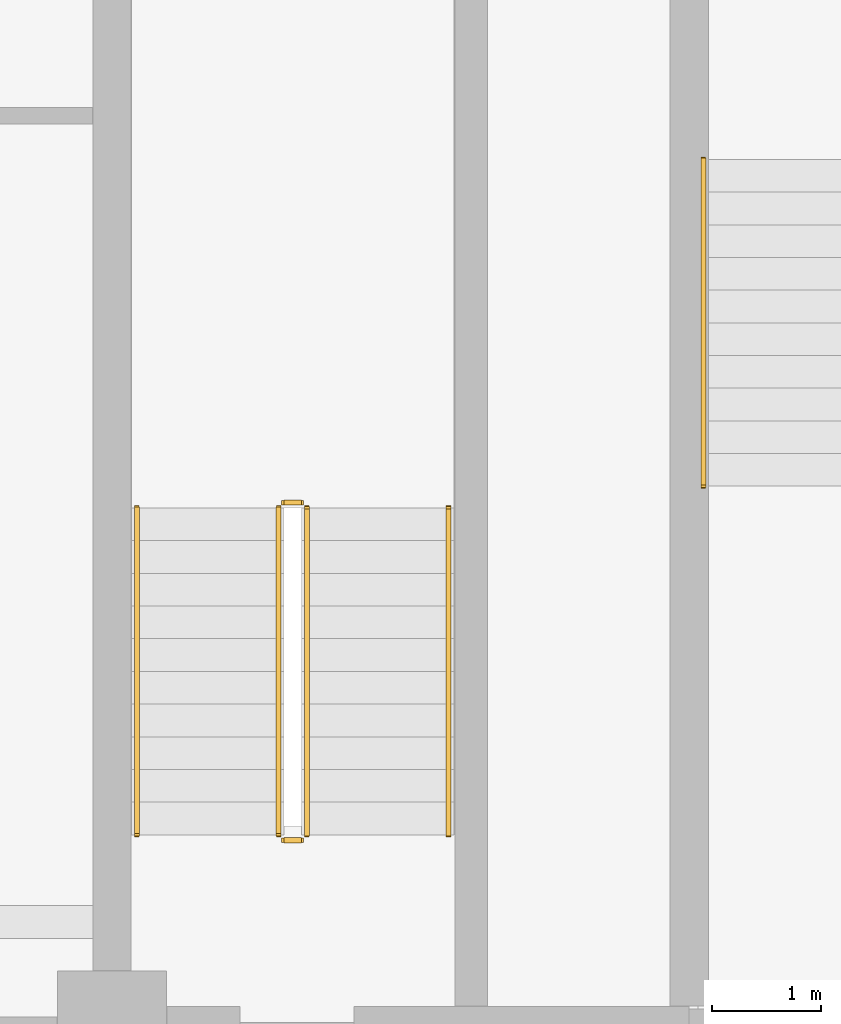
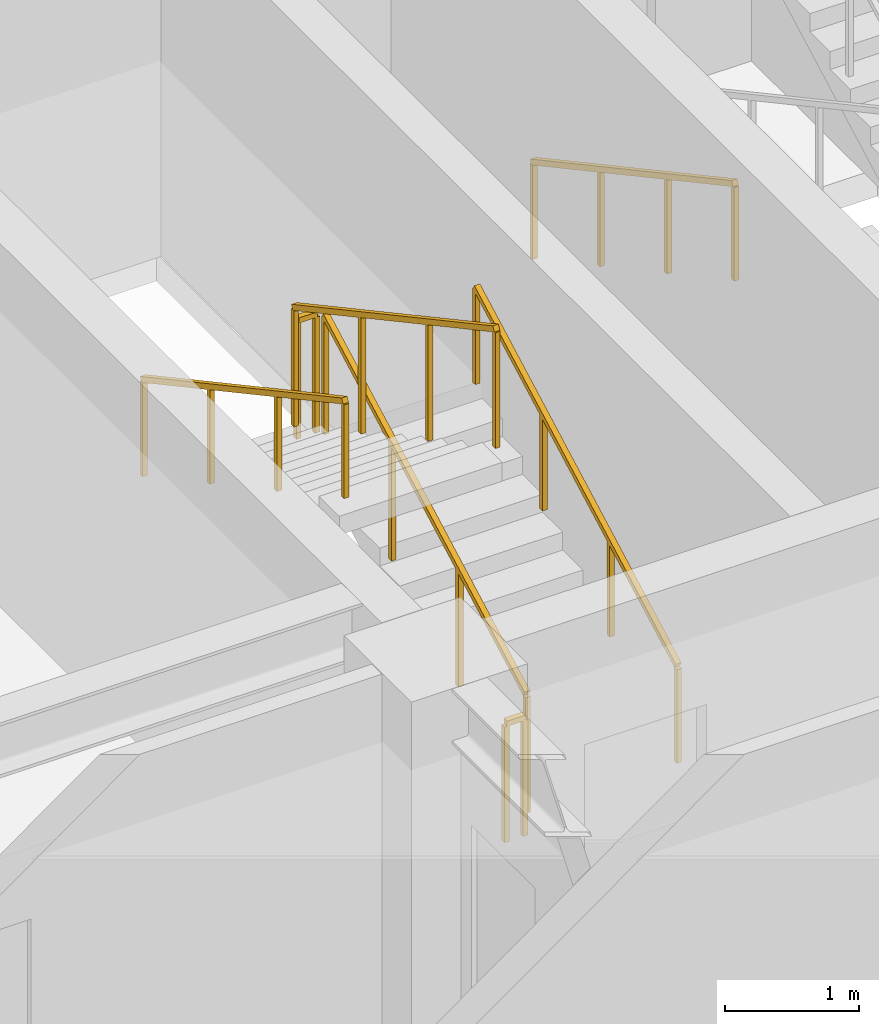
# One storey, part 9 of 15: 7 railings.
"""IFC4 building model written with IfcOpenShell, lengths in metres."""

import ifcopenshell
import ifcopenshell.guid

model = None  # the IFC model being written
_history = None  # IfcOwnerHistory: only IFC2X3 demands one
_inside = {}  # id of a spatial element -> (the spatial element, [elements in it])
_under = {}  # id of a project, library or spatial element -> (it, [spatial elements below it])
_declared = {}  # id of a project -> (the project, [libraries it declares])
_typed = {}  # id of a type object -> (the type object, [elements of that type])
_made_of = {}  # id of a material, layer set ... -> (it, [elements and type objects made of it])


def new_model(schema):
    """Start an empty IFC model of exactly this schema.

    Asked for "IFC4X3", IfcOpenShell would pick the latest addendum, in which some entities
    have other attributes; the version numbers below select the first issue.
    IFC2X3 requires an IfcOwnerHistory on every rooted entity: one is made here for all.
    """
    global model, _history
    if schema == "IFC4X3":
        model = ifcopenshell.file(schema_version=(4, 3, 0, 0))
    else:
        model = ifcopenshell.file(schema=schema)
    _inside.clear()
    _under.clear()
    _declared.clear()
    _typed.clear()
    _made_of.clear()
    _history = None
    if model.schema == "IFC2X3":
        org = make("IfcOrganization", Name="unknown")
        user = make(
            "IfcPersonAndOrganization",
            ThePerson=make("IfcPerson", FamilyName="unknown"),
            TheOrganization=org,
        )
        app = make(
            "IfcApplication",
            ApplicationDeveloper=org,
            Version="unknown",
            ApplicationFullName="unknown",
            ApplicationIdentifier="unknown",
        )
        _history = make(
            "IfcOwnerHistory",
            OwningUser=user,
            OwningApplication=app,
            ChangeAction="ADDED",
            CreationDate=0,
        )
    return model


def make(cls, **values):
    """One entity of the class cls with the attributes given. An attribute that is None is left unset."""
    return model.create_entity(
        cls, **{name: value for name, value in values.items() if value is not None}
    )


def rooted(cls, **values):
    """An entity with a GlobalId (a new one), such as an element, a storey or a relation."""
    return make(cls, GlobalId=ifcopenshell.guid.new(), OwnerHistory=_history, **values)


def si_unit(unit_type, name, prefix=None):
    """IfcSIUnit, for example si_unit("LENGTHUNIT", "METRE", prefix="MILLI")."""
    return make("IfcSIUnit", UnitType=unit_type, Prefix=prefix, Name=name)


def assignment(units):
    """IfcUnitAssignment: the units of a project."""
    return None if units is None else make("IfcUnitAssignment", Units=units)


def point(xyz):
    """IfcCartesianPoint."""
    return None if xyz is None else make("IfcCartesianPoint", Coordinates=xyz)


def direction(xyz):
    """IfcDirection."""
    return None if xyz is None else make("IfcDirection", DirectionRatios=xyz)


def frame(location, z_axis=None, x_axis=None):
    """IfcAxis2Placement3D, a coordinate frame: its origin and axes. An axis left out is left unset."""
    return make(
        "IfcAxis2Placement3D",
        Location=point(location),
        Axis=direction(z_axis),
        RefDirection=direction(x_axis),
    )


def frame_2d(location, x_axis=None):
    """IfcAxis2Placement2D, a coordinate frame in the plane: its origin and x axis."""
    return make(
        "IfcAxis2Placement2D", Location=point(location), RefDirection=direction(x_axis)
    )


def origin():
    """The frame at (0, 0, 0) with its axes left unset."""
    return frame((0.0, 0.0, 0.0))


def origin_2d():
    """The frame at (0, 0) in the plane with its x axis left unset."""
    return frame_2d((0.0, 0.0))


def place(relative_to, where):
    """IfcLocalPlacement: puts the frame where relative to a parent placement (None: the world)."""
    return make(
        "IfcLocalPlacement", PlacementRelTo=relative_to, RelativePlacement=where
    )


def context(
    kind, dimensions, precision=None, world=None, true_north=None, identifier=None
):
    """IfcGeometricRepresentationContext, for example the 3D "Model" context."""
    return make(
        "IfcGeometricRepresentationContext",
        ContextIdentifier=identifier,
        ContextType=kind,
        CoordinateSpaceDimension=dimensions,
        Precision=precision,
        WorldCoordinateSystem=world,
        TrueNorth=true_north,
    )


def subcontext(parent, identifier, kind, view, scale=None):
    """IfcGeometricRepresentationSubContext, for example "Body" below "Model"."""
    return make(
        "IfcGeometricRepresentationSubContext",
        ContextIdentifier=identifier,
        ContextType=kind,
        ParentContext=parent,
        TargetScale=scale,
        TargetView=view,
    )


def project(units=None, contexts=None):
    """IfcProject with its units and contexts."""
    return rooted(
        "IfcProject",
        Name="project",
        RepresentationContexts=contexts,
        UnitsInContext=assignment(units),
    )


def spatial(cls, under=None, at=None, **own):
    """A site, building, storey or space (cls), placed at a placement, below another one or the project."""
    s = rooted(cls, ObjectPlacement=at, **own)
    if under is not None:
        _under.setdefault(under.id(), (under, []))[1].append(s)
    return s


def profile(cls, at=None, kind="AREA", **sizes):
    """A parametric profile (cls). Its sizes go by their IFC names, for example OverallWidth=200.0."""
    return make(cls, ProfileType=kind, Position=at, **sizes)


def rectangle(**sizes):
    """IfcRectangleProfileDef."""
    return profile("IfcRectangleProfileDef", **sizes)


def extrude(swept, where, along, depth):
    """IfcExtrudedAreaSolid: the profile swept, set in the frame where, extruded along a direction by depth."""
    return make(
        "IfcExtrudedAreaSolid",
        SweptArea=swept,
        Position=where,
        ExtrudedDirection=direction(along),
        Depth=depth,
    )


def shape(context_of_items, identifier, shape_type, items):
    """IfcShapeRepresentation: the items that make up one representation, for example the "Body"."""
    return make(
        "IfcShapeRepresentation",
        ContextOfItems=context_of_items,
        RepresentationIdentifier=identifier,
        RepresentationType=shape_type,
        Items=items,
    )


def material(Name=None, Category=None):
    """IfcMaterial."""
    return make("IfcMaterial", Name=Name, Category=Category)


def made_of(thing, what):
    """Note that an element or type object is made of a material, layer set ...; save() writes the relation."""
    if what is not None:
        _made_of.setdefault(what.id(), (what, []))[1].append(thing)
    return thing


def type_object(cls, material=None, **own):
    """A type object (cls), such as IfcWallType, which elements share."""
    return made_of(rooted(cls, **own), material)


def element(
    cls,
    number,
    at=None,
    inside=None,
    cuts=None,
    type_object=None,
    material=None,
    context=None,
    identifier="Body",
    shape_type=None,
    held_by="IfcProductDefinitionShape",
    body=None,
    shapes=None,
    **own,
):
    """One element of the class cls, such as IfcWall. Its Tag is "e" and its number.

    at: its placement. inside: the storey or other place that contains it. cuts: it is an
    opening in that element (IfcRelVoidsElement). A single representation is given by context,
    identifier, shape_type and body (its items); several are given by shapes. held_by: the class
    of the entity that holds the representations. save() writes the other relations.
    """
    e = rooted(cls, Tag="e%d" % number, ObjectPlacement=at, **own)
    if body is not None:
        shapes = [shape(context, identifier, shape_type, body)]
    if shapes is not None:
        e.Representation = make(held_by, Representations=shapes)
    if inside is not None:
        _inside.setdefault(inside.id(), (inside, []))[1].append(e)
    if cuts is not None:
        rooted(
            "IfcRelVoidsElement", RelatingBuildingElement=cuts, RelatedOpeningElement=e
        )
    if type_object is not None:
        _typed.setdefault(type_object.id(), (type_object, []))[1].append(e)
    return made_of(e, material)


def aggregate(whole, parts):
    """IfcRelAggregates: a whole, such as a stair, and the parts it consists of."""
    return rooted("IfcRelAggregates", RelatingObject=whole, RelatedObjects=parts)


def save(model, path):
    """Write the relations noted so far, then the file.

    IfcRelAggregates (storeys below a building ...), IfcRelContainedInSpatialStructure (elements
    in a storey), IfcRelDefinesByType, IfcRelAssociatesMaterial and IfcRelDeclares: one each for
    every whole, place, type object, material and project.
    """
    for whole, parts in _under.values():
        aggregate(whole, parts)
    for where, things in _inside.values():
        rooted(
            "IfcRelContainedInSpatialStructure",
            RelatedElements=things,
            RelatingStructure=where,
        )
    for kind, things in _typed.values():
        rooted("IfcRelDefinesByType", RelatedObjects=things, RelatingType=kind)
    for what, things in _made_of.values():
        rooted("IfcRelAssociatesMaterial", RelatedObjects=things, RelatingMaterial=what)
    for by, libraries in _declared.values():
        rooted("IfcRelDeclares", RelatingContext=by, RelatedDefinitions=libraries)
    model.write(path)


model = new_model("IFC4")

# Units and contexts
model_context = context("Model", 3, precision=1e-05, world=origin(), true_north=direction((0.0, 1.0)))
body_context = subcontext(model_context, "Body", "Model", "MODEL_VIEW")
ifc_project = project(units=[si_unit("LENGTHUNIT", "METRE"), si_unit("AREAUNIT", "SQUARE_METRE"), si_unit("VOLUMEUNIT", "CUBIC_METRE"), si_unit("PLANEANGLEUNIT", "RADIAN"), si_unit("MASSUNIT", "GRAM", prefix="KILO")], contexts=[model_context])

# Site, building, storey
site_placement = place(None, origin())
site = spatial("IfcSite", under=ifc_project, at=site_placement, CompositionType="ELEMENT")
building_placement = place(site_placement, origin())
building = spatial("IfcBuilding", under=site, at=building_placement, Name="Zulmaris Gate Convention Tower", CompositionType="ELEMENT")
storey_placement = place(building_placement, frame((0.0, 0.0, 128.48974609375)))
storey = spatial("IfcBuildingStorey", under=building, at=storey_placement, Name="L32", CompositionType="ELEMENT", Elevation=128.48974609375)

# Railings
ifc_material_1 = material(Name="Painted Galvanised Steel", Category="steel")
railing_type_1 = type_object("IfcRailingType", Name="RL-STG-1150", PredefinedType="GUARDRAIL", material=ifc_material_1)
railing_1_placement = place(storey_placement, frame((-18.2099609375, -8.199951171875, 0.162109375)))
element("IfcRailing", 1, at=railing_1_placement, inside=storey, type_object=railing_type_1, Name="L32 ST-3 stair guard 1", PredefinedType="GUARDRAIL", context=body_context, shape_type="SweptSolid", body=[
    extrude(rectangle(XDim=0.048095703125, YDim=0.048095703125, at=origin_2d()), frame((0.0, 0.0, 1.076171875), z_axis=(0.0, 0.8795616155, 0.475784998228), x_axis=(-1.0, 0.0, 0.0)), (0.0, 0.0, 1.0), 3.410888671875),
    extrude(rectangle(XDim=0.0419921875, YDim=0.0419921875, at=origin_2d()), origin(), (0.0, 0.0, 1.0), 1.052001953125),
    extrude(rectangle(XDim=0.0419921875, YDim=0.0419921875, at=origin_2d()), frame((0.0, 1.0, 0.541015625)), (0.0, 0.0, 1.0), 1.052001953125),
    extrude(rectangle(XDim=0.0419921875, YDim=0.0419921875, at=origin_2d()), frame((0.0, 2.0, 1.081787109375)), (0.0, 0.0, 1.0), 1.052001953125),
    extrude(rectangle(XDim=0.0419921875, YDim=0.0419921875, at=origin_2d()), frame((0.0, 3.0, 1.622802734375)), (0.0, 0.0, 1.0), 1.052001953125),
])
railing_2_placement = place(storey_placement, frame((-18.260009765625, -5.14990234375, 1.784912109375)))
element("IfcRailing", 2, at=railing_2_placement, inside=storey, type_object=railing_type_1, Name="L32 ST-3 stair guard 2", PredefinedType="GUARDRAIL", context=body_context, shape_type="SweptSolid", body=[
    extrude(rectangle(XDim=0.048095703125, YDim=0.048095703125, at=origin_2d()), frame((0.0, 0.0, 1.076171875), z_axis=(-1.0, 0.0, 0.0), x_axis=(0.0, -1.0, 0.0)), (0.0, 0.0, 1.0), 0.159912109375),
    extrude(rectangle(XDim=0.0419921875, YDim=0.0419921875, at=origin_2d()), origin(), (0.0, 0.0, 1.0), 1.052001953125),
    extrude(rectangle(XDim=0.0419921875, YDim=0.0419921875, at=origin_2d()), frame((-0.159912109375, 0.0, 0.0)), (0.0, 0.0, 1.0), 1.052001953125),
])
railing_3_placement = place(storey_placement, frame((-18.469970703125, -5.199951171875, 1.947265625)))
element("IfcRailing", 3, at=railing_3_placement, inside=storey, type_object=railing_type_1, Name="L32 ST-3 stair guard 3", PredefinedType="GUARDRAIL", context=body_context, shape_type="SweptSolid", body=[
    extrude(rectangle(XDim=0.048095703125, YDim=0.048095703125, at=origin_2d()), frame((0.0, 0.0, 1.076171875), z_axis=(0.0, -0.8795616155, 0.475784998228), x_axis=(1.0, 0.0, 0.0)), (0.0, 0.0, 1.0), 3.410888671875),
    extrude(rectangle(XDim=0.0419921875, YDim=0.0419921875, at=origin_2d()), origin(), (0.0, 0.0, 1.0), 1.052001953125),
    extrude(rectangle(XDim=0.0419921875, YDim=0.0419921875, at=origin_2d()), frame((0.0, -1.0, 0.541015625)), (0.0, 0.0, 1.0), 1.052001953125),
    extrude(rectangle(XDim=0.0419921875, YDim=0.0419921875, at=origin_2d()), frame((0.0, -2.0, 1.081787109375)), (0.0, 0.0, 1.0), 1.052001953125),
    extrude(rectangle(XDim=0.0419921875, YDim=0.0419921875, at=origin_2d()), frame((0.0, -3.0, 1.622802734375)), (0.0, 0.0, 1.0), 1.052001953125),
])
railing_4_placement = place(storey_placement, frame((-18.260009765625, -8.25, 0.0)))
element("IfcRailing", 4, at=railing_4_placement, inside=storey, type_object=railing_type_1, Name="L32 ST-3 stair guard 4", PredefinedType="GUARDRAIL", context=body_context, shape_type="SweptSolid", body=[
    extrude(rectangle(XDim=0.048095703125, YDim=0.048095703125, at=origin_2d()), frame((0.0, 0.0, 1.076171875), z_axis=(-1.0, 0.0, 0.0), x_axis=(0.0, -1.0, 0.0)), (0.0, 0.0, 1.0), 0.159912109375),
    extrude(rectangle(XDim=0.0419921875, YDim=0.0419921875, at=origin_2d()), origin(), (0.0, 0.0, 1.0), 1.052001953125),
    extrude(rectangle(XDim=0.0419921875, YDim=0.0419921875, at=origin_2d()), frame((-0.159912109375, 0.0, 0.0)), (0.0, 0.0, 1.0), 1.052001953125),
])
ifc_material_2 = material(Name="Brushed Stainless Steel", Category="steel")
railing_type_2 = type_object("IfcRailingType", Name="RL-STH-900", PredefinedType="HANDRAIL", material=ifc_material_2)
railing_5_placement = place(storey_placement, frame((-14.570068359375, -2.0, 0.162109375)))
element("IfcRailing", 5, at=railing_5_placement, inside=storey, type_object=railing_type_2, Name="L32 ST-1 stair handrail 1", PredefinedType="HANDRAIL", context=body_context, shape_type="SweptSolid", body=[
    extrude(rectangle(XDim=0.048095703125, YDim=0.048095703125, at=origin_2d()), frame((0.0, 0.0, 0.8759765625), z_axis=(0.0, -0.8795616155, 0.475784998228), x_axis=(1.0, 0.0, 0.0)), (0.0, 0.0, 1.0), 3.410888671875),
    extrude(rectangle(XDim=0.0419921875, YDim=0.0419921875, at=origin_2d()), origin(), (0.0, 0.0, 1.0), 0.851806640625),
    extrude(rectangle(XDim=0.0419921875, YDim=0.0419921875, at=origin_2d()), frame((0.0, -1.0, 0.541015625)), (0.0, 0.0, 1.0), 0.851806640625),
    extrude(rectangle(XDim=0.0419921875, YDim=0.0419921875, at=origin_2d()), frame((0.0, -2.0, 1.081787109375)), (0.0, 0.0, 1.0), 0.851806640625),
    extrude(rectangle(XDim=0.0419921875, YDim=0.0419921875, at=origin_2d()), frame((0.0, -3.0, 1.622802734375)), (0.0, 0.0, 1.0), 0.851806640625),
])
railing_6_placement = place(storey_placement, frame((-16.909912109375, -8.199951171875, 0.162109375)))
element("IfcRailing", 6, at=railing_6_placement, inside=storey, type_object=railing_type_2, Name="L32 ST-3 stair handrail 1", PredefinedType="HANDRAIL", context=body_context, shape_type="SweptSolid", body=[
    extrude(rectangle(XDim=0.048095703125, YDim=0.048095703125, at=origin_2d()), frame((0.0, 0.0, 0.8759765625), z_axis=(0.0, 0.8795616155, 0.475784998228), x_axis=(-1.0, 0.0, 0.0)), (0.0, 0.0, 1.0), 3.410888671875),
    extrude(rectangle(XDim=0.0419921875, YDim=0.0419921875, at=origin_2d()), origin(), (0.0, 0.0, 1.0), 0.851806640625),
    extrude(rectangle(XDim=0.0419921875, YDim=0.0419921875, at=origin_2d()), frame((0.0, 1.0, 0.541015625)), (0.0, 0.0, 1.0), 0.851806640625),
    extrude(rectangle(XDim=0.0419921875, YDim=0.0419921875, at=origin_2d()), frame((0.0, 2.0, 1.081787109375)), (0.0, 0.0, 1.0), 0.851806640625),
    extrude(rectangle(XDim=0.0419921875, YDim=0.0419921875, at=origin_2d()), frame((0.0, 3.0, 1.622802734375)), (0.0, 0.0, 1.0), 0.851806640625),
])
railing_7_placement = place(storey_placement, frame((-19.77001953125, -5.199951171875, 1.947265625)))
element("IfcRailing", 7, at=railing_7_placement, inside=storey, type_object=railing_type_2, Name="L32 ST-3 stair handrail 2", PredefinedType="HANDRAIL", context=body_context, shape_type="SweptSolid", body=[
    extrude(rectangle(XDim=0.048095703125, YDim=0.048095703125, at=origin_2d()), frame((0.0, 0.0, 0.8759765625), z_axis=(0.0, -0.8795616155, 0.475784998228), x_axis=(1.0, 0.0, 0.0)), (0.0, 0.0, 1.0), 3.410888671875),
    extrude(rectangle(XDim=0.0419921875, YDim=0.0419921875, at=origin_2d()), origin(), (0.0, 0.0, 1.0), 0.851806640625),
    extrude(rectangle(XDim=0.0419921875, YDim=0.0419921875, at=origin_2d()), frame((0.0, -1.0, 0.541015625)), (0.0, 0.0, 1.0), 0.851806640625),
    extrude(rectangle(XDim=0.0419921875, YDim=0.0419921875, at=origin_2d()), frame((0.0, -2.0, 1.081787109375)), (0.0, 0.0, 1.0), 0.851806640625),
    extrude(rectangle(XDim=0.0419921875, YDim=0.0419921875, at=origin_2d()), frame((0.0, -3.0, 1.622802734375)), (0.0, 0.0, 1.0), 0.851806640625),
])

save(model, "model.ifc")
